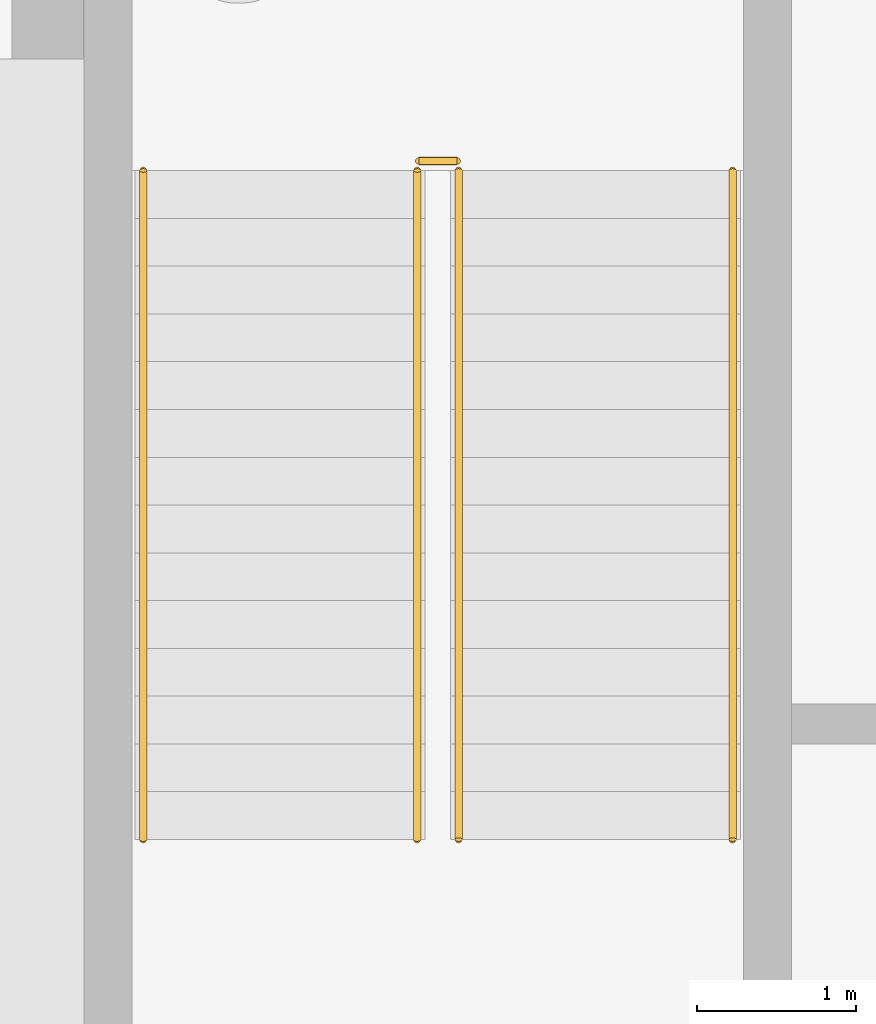
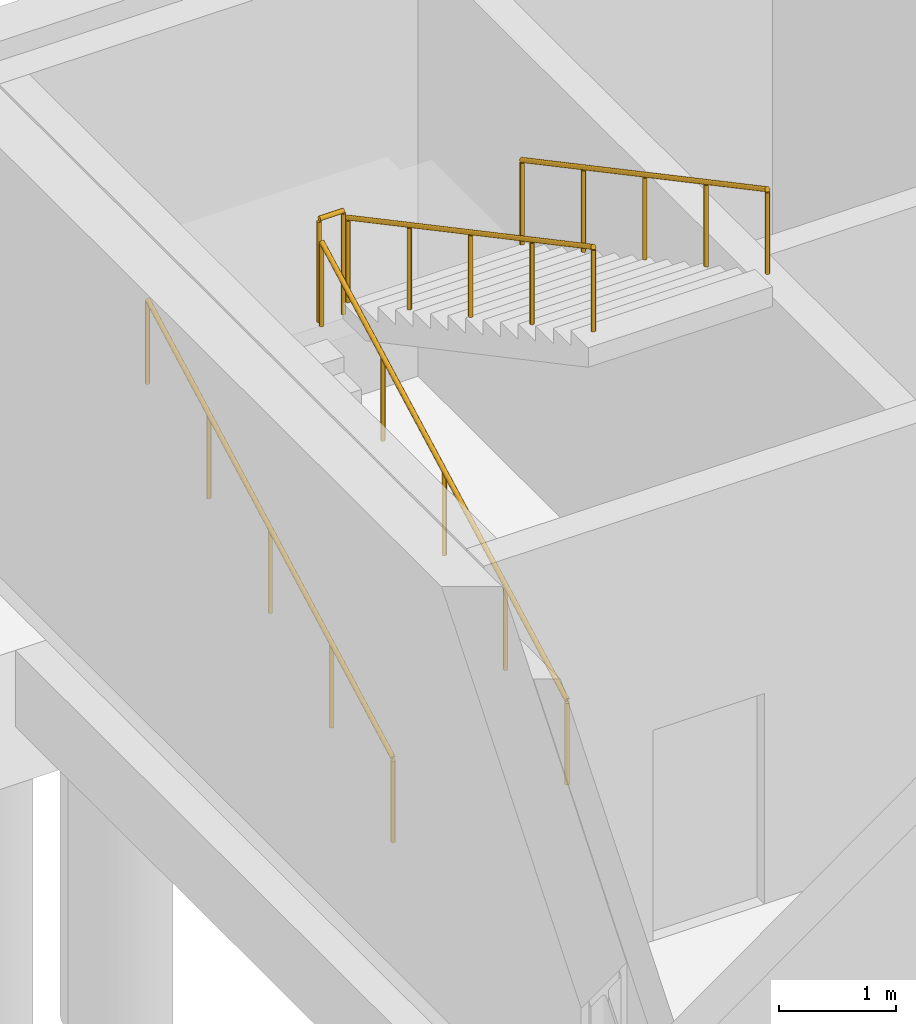
# One storey, part 27 of 29: 5 railings.
"""IFC4 building model written with IfcOpenShell, lengths in metres."""

from ifc_helpers import new_model, si_unit, direction, frame, origin, origin_2d, place, context, subcontext, project, spatial, circle, extrude, material, type_object, element, save


model = new_model("IFC4")

# Units and contexts
model_context = context("Model", 3, precision=1e-05, world=origin(), true_north=direction((0.0, 1.0)))
body_context = subcontext(model_context, "Body", "Model", "MODEL_VIEW")
ifc_project = project(units=[si_unit("LENGTHUNIT", "METRE"), si_unit("AREAUNIT", "SQUARE_METRE"), si_unit("VOLUMEUNIT", "CUBIC_METRE"), si_unit("PLANEANGLEUNIT", "RADIAN"), si_unit("MASSUNIT", "GRAM", prefix="KILO")], contexts=[model_context])

# Site, building, storey
site_placement = place(None, origin())
site = spatial("IfcSite", under=ifc_project, at=site_placement, CompositionType="ELEMENT")
building_placement = place(site_placement, origin())
building = spatial("IfcBuilding", under=site, at=building_placement, Name="Veltarok Museum of Natural Sciences", CompositionType="ELEMENT")
storey_placement = place(building_placement, frame((0.0, 0.0, -4.800048828125)))
storey = spatial("IfcBuildingStorey", under=building, at=storey_placement, Name="B1", CompositionType="ELEMENT", Elevation=-4.800048828125)

# Railings
ifc_material = material(Name="Steel S355J2", Category="steel")
railing_type_1 = type_object("IfcRailingType", Name="Interior Atrium and Stairwell Guardrail 1100", PredefinedType="GUARDRAIL", material=ifc_material)
railing_placement = place(storey_placement, frame((42.330078125, 69.360107421875, 2.400146484375)))
element("IfcRailing", 1, at=railing_placement, inside=storey, type_object=railing_type_1, Name="Landing Well Guard ST-03-B1-L1", PredefinedType="GUARDRAIL", context=body_context, shape_type="SweptSolid", body=[
    extrude(circle(Radius=0.02392578125, at=origin_2d()), frame((0.0, 0.0, 1.076171875), z_axis=(1.0, 0.0, 0.0), x_axis=(0.0, 1.0, 0.0)), (0.0, 0.0, 1.0), 0.239990234375),
    extrude(circle(Radius=0.02099609375, at=origin_2d()), origin(), (0.0, 0.0, 1.0), 1.052001953125),
    extrude(circle(Radius=0.02099609375, at=origin_2d()), frame((0.239990234375, 0.0, 0.0)), (0.0, 0.0, 1.0), 1.052001953125),
])
railing_type_2 = type_object("IfcRailingType", Name="Stair Flight Tubular Steel Handrail 900", PredefinedType="HANDRAIL", material=ifc_material)
for number, where, name in (
    (2, (40.60009765625, 65.10009765625, 0.16015625), "Stair Handrail ST-03-B1-F1L"),
    (3, (42.320068359375, 65.10009765625, 0.16015625), "Stair Handrail ST-03-B1-F1R"),
):
    element("IfcRailing", number, at=place(storey_placement, frame(where)), inside=storey, type_object=railing_type_2, Name=name, PredefinedType="HANDRAIL", context=body_context, shape_type="SweptSolid", body=[
        extrude(circle(Radius=0.02392578125, at=origin_2d()), frame((0.0, 0.0, 0.8759765625), z_axis=(0.0, 0.882351521365, 0.470590897432), x_axis=(-1.0, 0.0, 0.0)), (0.0, 0.0, 1.0), 4.760009765625),
        extrude(circle(Radius=0.02099609375, at=origin_2d()), origin(), (0.0, 0.0, 1.0), 0.851806640625),
        extrude(circle(Radius=0.02099609375, at=origin_2d()), frame((0.0, 1.050048828125, 0.56005859375)), (0.0, 0.0, 1.0), 0.851806640625),
        extrude(circle(Radius=0.02099609375, at=origin_2d()), frame((0.0, 2.10009765625, 1.1201171875)), (0.0, 0.0, 1.0), 0.851806640625),
        extrude(circle(Radius=0.02099609375, at=origin_2d()), frame((0.0, 3.14990234375, 1.679931640625)), (0.0, 0.0, 1.0), 0.851806640625),
        extrude(circle(Radius=0.02099609375, at=origin_2d()), frame((0.0, 4.199951171875, 2.239990234375)), (0.0, 0.0, 1.0), 0.851806640625),
    ])
for number, where, name in (
    (4, (42.580078125, 69.300048828125, 2.56005859375), "Stair Handrail ST-03-B1-F2L"),
    (5, (44.300048828125, 69.300048828125, 2.56005859375), "Stair Handrail ST-03-B1-F2R"),
):
    element("IfcRailing", number, at=place(storey_placement, frame(where)), inside=storey, type_object=railing_type_2, Name=name, PredefinedType="HANDRAIL", context=body_context, shape_type="SweptSolid", body=[
        extrude(circle(Radius=0.02392578125, at=origin_2d()), frame((0.0, 0.0, 0.8759765625), z_axis=(0.0, -0.882351521365, 0.470590897432), x_axis=(1.0, 0.0, 0.0)), (0.0, 0.0, 1.0), 4.760009765625),
        extrude(circle(Radius=0.02099609375, at=origin_2d()), origin(), (0.0, 0.0, 1.0), 0.851806640625),
        extrude(circle(Radius=0.02099609375, at=origin_2d()), frame((0.0, -1.050048828125, 0.56005859375)), (0.0, 0.0, 1.0), 0.851806640625),
        extrude(circle(Radius=0.02099609375, at=origin_2d()), frame((0.0, -2.10009765625, 1.1201171875)), (0.0, 0.0, 1.0), 0.851806640625),
        extrude(circle(Radius=0.02099609375, at=origin_2d()), frame((0.0, -3.14990234375, 1.679931640625)), (0.0, 0.0, 1.0), 0.851806640625),
        extrude(circle(Radius=0.02099609375, at=origin_2d()), frame((0.0, -4.199951171875, 2.239990234375)), (0.0, 0.0, 1.0), 0.851806640625),
    ])

save(model, "model.ifc")
